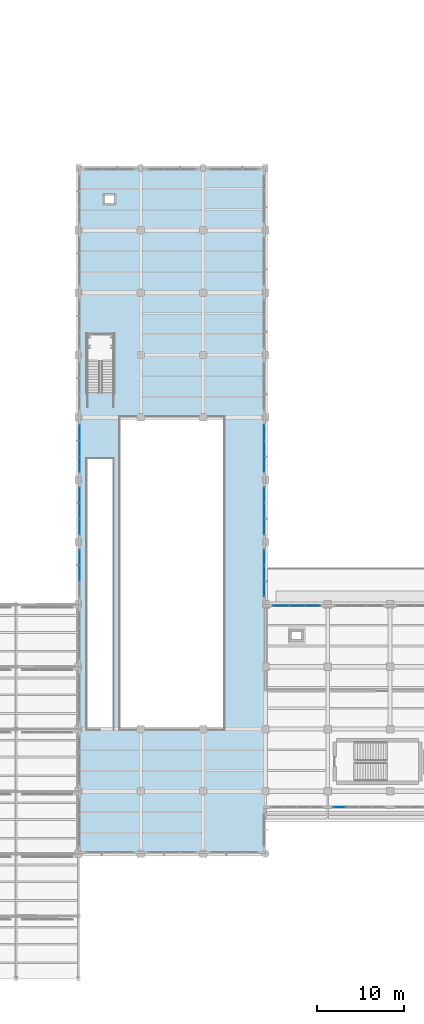
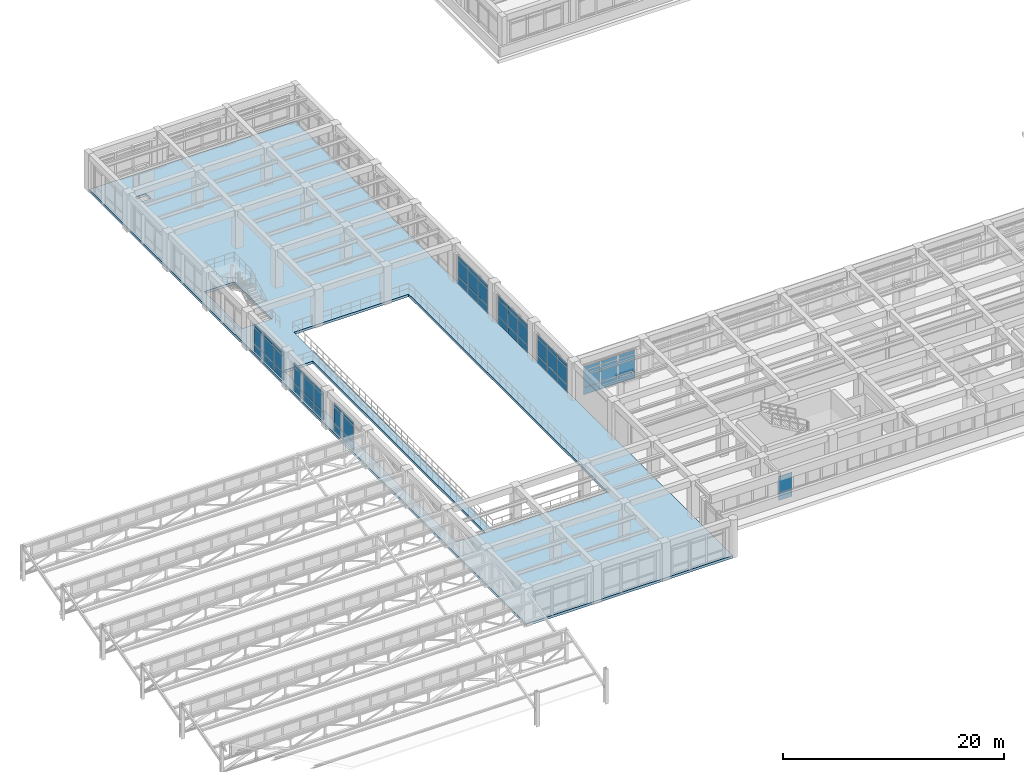
# One storey, part 67 of 98: 62 plates, 1 slab, 8 elements without a shape of their own.
"""IFC4 building model written with IfcOpenShell, lengths in metres."""

import ifcopenshell
import ifcopenshell.guid

model = None  # the IFC model being written
_history = None  # IfcOwnerHistory: only IFC2X3 demands one
_inside = {}  # id of a spatial element -> (the spatial element, [elements in it])
_under = {}  # id of a project, library or spatial element -> (it, [spatial elements below it])
_declared = {}  # id of a project -> (the project, [libraries it declares])
_typed = {}  # id of a type object -> (the type object, [elements of that type])
_made_of = {}  # id of a material, layer set ... -> (it, [elements and type objects made of it])


def new_model(schema):
    """Start an empty IFC model of exactly this schema.

    Asked for "IFC4X3", IfcOpenShell would pick the latest addendum, in which some entities
    have other attributes; the version numbers below select the first issue.
    IFC2X3 requires an IfcOwnerHistory on every rooted entity: one is made here for all.
    """
    global model, _history
    if schema == "IFC4X3":
        model = ifcopenshell.file(schema_version=(4, 3, 0, 0))
    else:
        model = ifcopenshell.file(schema=schema)
    _inside.clear()
    _under.clear()
    _declared.clear()
    _typed.clear()
    _made_of.clear()
    _history = None
    if model.schema == "IFC2X3":
        org = make("IfcOrganization", Name="unknown")
        user = make(
            "IfcPersonAndOrganization",
            ThePerson=make("IfcPerson", FamilyName="unknown"),
            TheOrganization=org,
        )
        app = make(
            "IfcApplication",
            ApplicationDeveloper=org,
            Version="unknown",
            ApplicationFullName="unknown",
            ApplicationIdentifier="unknown",
        )
        _history = make(
            "IfcOwnerHistory",
            OwningUser=user,
            OwningApplication=app,
            ChangeAction="ADDED",
            CreationDate=0,
        )
    return model


def make(cls, **values):
    """One entity of the class cls with the attributes given. An attribute that is None is left unset."""
    return model.create_entity(
        cls, **{name: value for name, value in values.items() if value is not None}
    )


def rooted(cls, **values):
    """An entity with a GlobalId (a new one), such as an element, a storey or a relation."""
    return make(cls, GlobalId=ifcopenshell.guid.new(), OwnerHistory=_history, **values)


def si_unit(unit_type, name, prefix=None):
    """IfcSIUnit, for example si_unit("LENGTHUNIT", "METRE", prefix="MILLI")."""
    return make("IfcSIUnit", UnitType=unit_type, Prefix=prefix, Name=name)


def assignment(units):
    """IfcUnitAssignment: the units of a project."""
    return None if units is None else make("IfcUnitAssignment", Units=units)


def point(xyz):
    """IfcCartesianPoint."""
    return None if xyz is None else make("IfcCartesianPoint", Coordinates=xyz)


def direction(xyz):
    """IfcDirection."""
    return None if xyz is None else make("IfcDirection", DirectionRatios=xyz)


def frame(location, z_axis=None, x_axis=None):
    """IfcAxis2Placement3D, a coordinate frame: its origin and axes. An axis left out is left unset."""
    return make(
        "IfcAxis2Placement3D",
        Location=point(location),
        Axis=direction(z_axis),
        RefDirection=direction(x_axis),
    )


def frame_2d(location, x_axis=None):
    """IfcAxis2Placement2D, a coordinate frame in the plane: its origin and x axis."""
    return make(
        "IfcAxis2Placement2D", Location=point(location), RefDirection=direction(x_axis)
    )


def origin():
    """The frame at (0, 0, 0) with its axes left unset."""
    return frame((0.0, 0.0, 0.0))


def origin_2d():
    """The frame at (0, 0) in the plane with its x axis left unset."""
    return frame_2d((0.0, 0.0))


def place(relative_to, where):
    """IfcLocalPlacement: puts the frame where relative to a parent placement (None: the world)."""
    return make(
        "IfcLocalPlacement", PlacementRelTo=relative_to, RelativePlacement=where
    )


def context(
    kind, dimensions, precision=None, world=None, true_north=None, identifier=None
):
    """IfcGeometricRepresentationContext, for example the 3D "Model" context."""
    return make(
        "IfcGeometricRepresentationContext",
        ContextIdentifier=identifier,
        ContextType=kind,
        CoordinateSpaceDimension=dimensions,
        Precision=precision,
        WorldCoordinateSystem=world,
        TrueNorth=true_north,
    )


def subcontext(parent, identifier, kind, view, scale=None):
    """IfcGeometricRepresentationSubContext, for example "Body" below "Model"."""
    return make(
        "IfcGeometricRepresentationSubContext",
        ContextIdentifier=identifier,
        ContextType=kind,
        ParentContext=parent,
        TargetScale=scale,
        TargetView=view,
    )


def project(units=None, contexts=None):
    """IfcProject with its units and contexts."""
    return rooted(
        "IfcProject",
        Name="project",
        RepresentationContexts=contexts,
        UnitsInContext=assignment(units),
    )


def spatial(cls, under=None, at=None, **own):
    """A site, building, storey or space (cls), placed at a placement, below another one or the project."""
    s = rooted(cls, ObjectPlacement=at, **own)
    if under is not None:
        _under.setdefault(under.id(), (under, []))[1].append(s)
    return s


def polyline(points):
    """IfcPolyline through the points."""
    return make("IfcPolyline", Points=[point(p) for p in points])


def profile(cls, at=None, kind="AREA", **sizes):
    """A parametric profile (cls). Its sizes go by their IFC names, for example OverallWidth=200.0."""
    return make(cls, ProfileType=kind, Position=at, **sizes)


def rectangle(**sizes):
    """IfcRectangleProfileDef."""
    return profile("IfcRectangleProfileDef", **sizes)


def outline(outer, holes=None, kind="AREA"):
    """IfcArbitraryClosedProfileDef: a profile drawn as a closed curve; with holes, ...WithVoids."""
    if holes is None:
        return make("IfcArbitraryClosedProfileDef", ProfileType=kind, OuterCurve=outer)
    return make(
        "IfcArbitraryProfileDefWithVoids",
        ProfileType=kind,
        OuterCurve=outer,
        InnerCurves=holes,
    )


def extrude(swept, where, along, depth):
    """IfcExtrudedAreaSolid: the profile swept, set in the frame where, extruded along a direction by depth."""
    return make(
        "IfcExtrudedAreaSolid",
        SweptArea=swept,
        Position=where,
        ExtrudedDirection=direction(along),
        Depth=depth,
    )


def shape(context_of_items, identifier, shape_type, items):
    """IfcShapeRepresentation: the items that make up one representation, for example the "Body"."""
    return make(
        "IfcShapeRepresentation",
        ContextOfItems=context_of_items,
        RepresentationIdentifier=identifier,
        RepresentationType=shape_type,
        Items=items,
    )


def material(Name=None, Category=None):
    """IfcMaterial."""
    return make("IfcMaterial", Name=Name, Category=Category)


def layer(
    of_material, thickness, ventilated=None, Name=None, Category=None, Priority=None
):
    """IfcMaterialLayer: one layer of a wall or slab, of a material (None: an air gap)."""
    return make(
        "IfcMaterialLayer",
        Material=of_material,
        LayerThickness=thickness,
        IsVentilated=ventilated,
        Name=Name,
        Category=Category,
        Priority=Priority,
    )


def layer_set(layers, Name=None):
    """IfcMaterialLayerSet."""
    return make("IfcMaterialLayerSet", MaterialLayers=layers, LayerSetName=Name)


def made_of(thing, what):
    """Note that an element or type object is made of a material, layer set ...; save() writes the relation."""
    if what is not None:
        _made_of.setdefault(what.id(), (what, []))[1].append(thing)
    return thing


def type_object(cls, material=None, **own):
    """A type object (cls), such as IfcWallType, which elements share."""
    return made_of(rooted(cls, **own), material)


def element(
    cls,
    number,
    at=None,
    inside=None,
    cuts=None,
    type_object=None,
    material=None,
    context=None,
    identifier="Body",
    shape_type=None,
    held_by="IfcProductDefinitionShape",
    body=None,
    shapes=None,
    **own,
):
    """One element of the class cls, such as IfcWall. Its Tag is "e" and its number.

    at: its placement. inside: the storey or other place that contains it. cuts: it is an
    opening in that element (IfcRelVoidsElement). A single representation is given by context,
    identifier, shape_type and body (its items); several are given by shapes. held_by: the class
    of the entity that holds the representations. save() writes the other relations.
    """
    e = rooted(cls, Tag="e%d" % number, ObjectPlacement=at, **own)
    if body is not None:
        shapes = [shape(context, identifier, shape_type, body)]
    if shapes is not None:
        e.Representation = make(held_by, Representations=shapes)
    if inside is not None:
        _inside.setdefault(inside.id(), (inside, []))[1].append(e)
    if cuts is not None:
        rooted(
            "IfcRelVoidsElement", RelatingBuildingElement=cuts, RelatedOpeningElement=e
        )
    if type_object is not None:
        _typed.setdefault(type_object.id(), (type_object, []))[1].append(e)
    return made_of(e, material)


def aggregate(whole, parts):
    """IfcRelAggregates: a whole, such as a stair, and the parts it consists of."""
    return rooted("IfcRelAggregates", RelatingObject=whole, RelatedObjects=parts)


def save(model, path):
    """Write the relations noted so far, then the file.

    IfcRelAggregates (storeys below a building ...), IfcRelContainedInSpatialStructure (elements
    in a storey), IfcRelDefinesByType, IfcRelAssociatesMaterial and IfcRelDeclares: one each for
    every whole, place, type object, material and project.
    """
    for whole, parts in _under.values():
        aggregate(whole, parts)
    for where, things in _inside.values():
        rooted(
            "IfcRelContainedInSpatialStructure",
            RelatedElements=things,
            RelatingStructure=where,
        )
    for kind, things in _typed.values():
        rooted("IfcRelDefinesByType", RelatedObjects=things, RelatingType=kind)
    for what, things in _made_of.values():
        rooted("IfcRelAssociatesMaterial", RelatedObjects=things, RelatingMaterial=what)
    for by, libraries in _declared.values():
        rooted("IfcRelDeclares", RelatingContext=by, RelatedDefinitions=libraries)
    model.write(path)


model = new_model("IFC4")

# Units and contexts
model_context = context("Model", 3, precision=1e-05, world=origin(), true_north=direction((0.0, 1.0)))
body_context = subcontext(model_context, "Body", "Model", "MODEL_VIEW")
ifc_project = project(units=[si_unit("LENGTHUNIT", "METRE"), si_unit("AREAUNIT", "SQUARE_METRE"), si_unit("VOLUMEUNIT", "CUBIC_METRE"), si_unit("PLANEANGLEUNIT", "RADIAN"), si_unit("MASSUNIT", "GRAM", prefix="KILO")], contexts=[model_context])

# Site, building, storey
site_placement = place(None, origin())
site = spatial("IfcSite", under=ifc_project, at=site_placement, CompositionType="ELEMENT")
building_placement = place(site_placement, origin())
building = spatial("IfcBuilding", under=site, at=building_placement, Name="Solenvale Faculty of Natural Sciences", CompositionType="ELEMENT")
storey_placement = place(building_placement, frame((0.0, 0.0, 9.0)))
storey = spatial("IfcBuildingStorey", under=building, at=storey_placement, Name="L02", CompositionType="ELEMENT", Elevation=9.0)

# Curtain wall, plates
ifc_material_1 = material(Name="Anodised bronze aluminium", Category="aluminium")
ifc_layer_1 = layer(ifc_material_1, 0.18994140625)
ifc_layer_set_1 = layer_set([ifc_layer_1], Name="Anodised bronze aluminium")
curtain_wall_type_1 = type_object("IfcCurtainWallType", Name="CW-TRAY-REC", PredefinedType="USERDEFINED", material=ifc_layer_set_1)
curtain_wall_1_placement = place(storey_placement, origin())
curtain_wall_1 = element("IfcCurtainWall", 1, at=curtain_wall_1_placement, inside=storey, type_object=curtain_wall_type_1, Name="L02 Curtain Wall CW-L02-P1-E6-B8", ObjectType="UNITISED CURTAIN WALL", PredefinedType="USERDEFINED")
ifc_material_2 = material(Name="Triple low-E insulated glass", Category="glass")
ifc_layer_2 = layer(ifc_material_2, 0.031982421875)
ifc_layer_set_2 = layer_set([ifc_layer_2], Name="Triple low-E insulated glass")
plate_type_1 = type_object("IfcPlateType", Name="CWP-PNL-32", PredefinedType="CURTAIN_PANEL", material=ifc_layer_set_2)
plate_1_placement = place(storey_placement, frame((63.0146484375, 43.03759765625, 0.074951171875), z_axis=(0.0, 0.0, 1.0), x_axis=(-1.0, 0.0, 0.0)))
plate_1 = element("IfcPlate", 2, at=plate_1_placement, type_object=plate_type_1, Name="CW-02 panel 1.1", PredefinedType="CURTAIN_PANEL", context=body_context, shape_type="SweptSolid", body=[
    extrude(rectangle(XDim=1.720947265625, YDim=0.031982421875, at=origin_2d()), origin(), (0.0, 0.0, 1.0), 0.78759765625),
])
plate_2_placement = place(storey_placement, frame((63.0146484375, 43.03759765625, 0.9375), z_axis=(0.0, 0.0, 1.0), x_axis=(-1.0, 0.0, 0.0)))
plate_2 = element("IfcPlate", 3, at=plate_2_placement, type_object=plate_type_1, Name="CW-02 panel 1.2", PredefinedType="CURTAIN_PANEL", context=body_context, shape_type="SweptSolid", body=[
    extrude(rectangle(XDim=1.720947265625, YDim=0.031982421875, at=origin_2d()), origin(), (0.0, 0.0, 1.0), 1.784912109375),
])
plate_3_placement = place(storey_placement, frame((63.0146484375, 43.03759765625, 2.79736328125), z_axis=(0.0, 0.0, 1.0), x_axis=(-1.0, 0.0, 0.0)))
plate_3 = element("IfcPlate", 4, at=plate_3_placement, type_object=plate_type_1, Name="CW-02 panel 1.3", PredefinedType="CURTAIN_PANEL", context=body_context, shape_type="SweptSolid", body=[
    extrude(rectangle(XDim=1.720947265625, YDim=0.031982421875, at=origin_2d()), origin(), (0.0, 0.0, 1.0), 0.387451171875),
])
plate_4_placement = place(storey_placement, frame((61.199951171875, 43.03759765625, 0.074951171875), z_axis=(0.0, 0.0, 1.0), x_axis=(-1.0, 0.0, 0.0)))
plate_4 = element("IfcPlate", 5, at=plate_4_placement, type_object=plate_type_1, Name="CW-02 panel 2.1", PredefinedType="CURTAIN_PANEL", context=body_context, shape_type="SweptSolid", body=[
    extrude(rectangle(XDim=1.75830078125, YDim=0.031982421875, at=origin_2d()), origin(), (0.0, 0.0, 1.0), 0.78759765625),
])
plate_5_placement = place(storey_placement, frame((61.199951171875, 43.03759765625, 0.9375), z_axis=(0.0, 0.0, 1.0), x_axis=(-1.0, 0.0, 0.0)))
plate_5 = element("IfcPlate", 6, at=plate_5_placement, type_object=plate_type_1, Name="CW-02 panel 2.2", PredefinedType="CURTAIN_PANEL", context=body_context, shape_type="SweptSolid", body=[
    extrude(rectangle(XDim=1.75830078125, YDim=0.031982421875, at=origin_2d()), origin(), (0.0, 0.0, 1.0), 1.784912109375),
])
plate_6_placement = place(storey_placement, frame((61.199951171875, 43.03759765625, 2.79736328125), z_axis=(0.0, 0.0, 1.0), x_axis=(-1.0, 0.0, 0.0)))
plate_6 = element("IfcPlate", 7, at=plate_6_placement, type_object=plate_type_1, Name="CW-02 panel 2.3", PredefinedType="CURTAIN_PANEL", context=body_context, shape_type="SweptSolid", body=[
    extrude(rectangle(XDim=1.75830078125, YDim=0.031982421875, at=origin_2d()), origin(), (0.0, 0.0, 1.0), 0.387451171875),
])
plate_7_placement = place(storey_placement, frame((59.385498046875, 43.03759765625, 0.074951171875), z_axis=(0.0, 0.0, 1.0), x_axis=(-1.0, 0.0, 0.0)))
plate_7 = element("IfcPlate", 8, at=plate_7_placement, type_object=plate_type_1, Name="CW-02 panel 3.1", PredefinedType="CURTAIN_PANEL", context=body_context, shape_type="SweptSolid", body=[
    extrude(rectangle(XDim=1.720947265625, YDim=0.031982421875, at=origin_2d()), origin(), (0.0, 0.0, 1.0), 0.78759765625),
])
plate_8_placement = place(storey_placement, frame((59.385498046875, 43.03759765625, 0.9375), z_axis=(0.0, 0.0, 1.0), x_axis=(-1.0, 0.0, 0.0)))
plate_8 = element("IfcPlate", 9, at=plate_8_placement, type_object=plate_type_1, Name="CW-02 panel 3.2", PredefinedType="CURTAIN_PANEL", context=body_context, shape_type="SweptSolid", body=[
    extrude(rectangle(XDim=1.720947265625, YDim=0.031982421875, at=origin_2d()), origin(), (0.0, 0.0, 1.0), 1.784912109375),
])
plate_9_placement = place(storey_placement, frame((59.385498046875, 43.03759765625, 2.79736328125), z_axis=(0.0, 0.0, 1.0), x_axis=(-1.0, 0.0, 0.0)))
plate_9 = element("IfcPlate", 10, at=plate_9_placement, type_object=plate_type_1, Name="CW-02 panel 3.3", PredefinedType="CURTAIN_PANEL", context=body_context, shape_type="SweptSolid", body=[
    extrude(rectangle(XDim=1.720947265625, YDim=0.031982421875, at=origin_2d()), origin(), (0.0, 0.0, 1.0), 0.387451171875),
])
aggregate(curtain_wall_1, [plate_1, plate_2, plate_3, plate_4, plate_5, plate_6, plate_7, plate_8, plate_9])

ifc_layer_3 = layer(ifc_material_1, 0.215087890625)
ifc_layer_set_3 = layer_set([ifc_layer_3], Name="Anodised bronze aluminium")
curtain_wall_type_2 = type_object("IfcCurtainWallType", Name="CW-ATR-UNIT", PredefinedType="USERDEFINED", material=ifc_layer_set_3)
curtain_wall_2_placement = place(storey_placement, origin())
curtain_wall_2 = element("IfcCurtainWall", 11, at=curtain_wall_2_placement, inside=storey, type_object=curtain_wall_type_2, Name="L02 Curtain Wall CW-L02-P1-E9-B5", ObjectType="UNITISED CURTAIN WALL", PredefinedType="USERDEFINED")
plate_10_placement = place(storey_placement, frame((36.142578125, 63.0146484375, 0.074951171875), z_axis=(0.0, 0.0, 1.0), x_axis=(0.0, -1.0, 0.0)))
plate_10 = element("IfcPlate", 12, at=plate_10_placement, type_object=plate_type_1, Name="CW-01 panel 1.1", PredefinedType="CURTAIN_PANEL", context=body_context, shape_type="SweptSolid", body=[
    extrude(rectangle(XDim=1.720947265625, YDim=0.031982421875, at=origin_2d()), origin(), (0.0, 0.0, 1.0), 0.78759765625),
])
plate_11_placement = place(storey_placement, frame((36.142578125, 63.0146484375, 0.9375), z_axis=(0.0, 0.0, 1.0), x_axis=(0.0, -1.0, 0.0)))
plate_11 = element("IfcPlate", 13, at=plate_11_placement, type_object=plate_type_1, Name="CW-01 panel 1.2", PredefinedType="CURTAIN_PANEL", context=body_context, shape_type="SweptSolid", body=[
    extrude(rectangle(XDim=1.720947265625, YDim=0.031982421875, at=origin_2d()), origin(), (0.0, 0.0, 1.0), 1.784912109375),
])
plate_12_placement = place(storey_placement, frame((36.142578125, 63.0146484375, 2.79736328125), z_axis=(0.0, 0.0, 1.0), x_axis=(0.0, -1.0, 0.0)))
plate_12 = element("IfcPlate", 14, at=plate_12_placement, type_object=plate_type_1, Name="CW-01 panel 1.3", PredefinedType="CURTAIN_PANEL", context=body_context, shape_type="SweptSolid", body=[
    extrude(rectangle(XDim=1.720947265625, YDim=0.031982421875, at=origin_2d()), origin(), (0.0, 0.0, 1.0), 0.387451171875),
])
plate_13_placement = place(storey_placement, frame((36.142578125, 61.199951171875, 0.074951171875), z_axis=(0.0, 0.0, 1.0), x_axis=(0.0, -1.0, 0.0)))
plate_13 = element("IfcPlate", 15, at=plate_13_placement, type_object=plate_type_1, Name="CW-01 panel 2.1", PredefinedType="CURTAIN_PANEL", context=body_context, shape_type="SweptSolid", body=[
    extrude(rectangle(XDim=1.75830078125, YDim=0.031982421875, at=origin_2d()), origin(), (0.0, 0.0, 1.0), 0.78759765625),
])
plate_14_placement = place(storey_placement, frame((36.142578125, 61.199951171875, 0.9375), z_axis=(0.0, 0.0, 1.0), x_axis=(0.0, -1.0, 0.0)))
plate_14 = element("IfcPlate", 16, at=plate_14_placement, type_object=plate_type_1, Name="CW-01 panel 2.2", PredefinedType="CURTAIN_PANEL", context=body_context, shape_type="SweptSolid", body=[
    extrude(rectangle(XDim=1.75830078125, YDim=0.031982421875, at=origin_2d()), origin(), (0.0, 0.0, 1.0), 1.784912109375),
])
plate_15_placement = place(storey_placement, frame((36.142578125, 61.199951171875, 2.79736328125), z_axis=(0.0, 0.0, 1.0), x_axis=(0.0, -1.0, 0.0)))
plate_15 = element("IfcPlate", 17, at=plate_15_placement, type_object=plate_type_1, Name="CW-01 panel 2.3", PredefinedType="CURTAIN_PANEL", context=body_context, shape_type="SweptSolid", body=[
    extrude(rectangle(XDim=1.75830078125, YDim=0.031982421875, at=origin_2d()), origin(), (0.0, 0.0, 1.0), 0.387451171875),
])
plate_16_placement = place(storey_placement, frame((36.142578125, 59.385498046875, 0.074951171875), z_axis=(0.0, 0.0, 1.0), x_axis=(0.0, -1.0, 0.0)))
plate_16 = element("IfcPlate", 18, at=plate_16_placement, type_object=plate_type_1, Name="CW-01 panel 3.1", PredefinedType="CURTAIN_PANEL", context=body_context, shape_type="SweptSolid", body=[
    extrude(rectangle(XDim=1.720947265625, YDim=0.031982421875, at=origin_2d()), origin(), (0.0, 0.0, 1.0), 0.78759765625),
])
plate_17_placement = place(storey_placement, frame((36.142578125, 59.385498046875, 0.9375), z_axis=(0.0, 0.0, 1.0), x_axis=(0.0, -1.0, 0.0)))
plate_17 = element("IfcPlate", 19, at=plate_17_placement, type_object=plate_type_1, Name="CW-01 panel 3.2", PredefinedType="CURTAIN_PANEL", context=body_context, shape_type="SweptSolid", body=[
    extrude(rectangle(XDim=1.720947265625, YDim=0.031982421875, at=origin_2d()), origin(), (0.0, 0.0, 1.0), 1.784912109375),
])
plate_18_placement = place(storey_placement, frame((36.142578125, 59.385498046875, 2.79736328125), z_axis=(0.0, 0.0, 1.0), x_axis=(0.0, -1.0, 0.0)))
plate_18 = element("IfcPlate", 20, at=plate_18_placement, type_object=plate_type_1, Name="CW-01 panel 3.3", PredefinedType="CURTAIN_PANEL", context=body_context, shape_type="SweptSolid", body=[
    extrude(rectangle(XDim=1.720947265625, YDim=0.031982421875, at=origin_2d()), origin(), (0.0, 0.0, 1.0), 0.387451171875),
])
aggregate(curtain_wall_2, [plate_10, plate_11, plate_12, plate_13, plate_14, plate_15, plate_16, plate_17, plate_18])

curtain_wall_3_placement = place(storey_placement, origin())
curtain_wall_3 = element("IfcCurtainWall", 21, at=curtain_wall_3_placement, inside=storey, type_object=curtain_wall_type_1, Name="L02 Curtain Wall CW-L02-P1-E12-B2", ObjectType="UNITISED CURTAIN WALL", PredefinedType="USERDEFINED")
plate_19_placement = place(storey_placement, frame((66.15380859375, 19.762451171875, 0.074951171875), z_axis=(0.0, 0.0, 1.0), x_axis=(1.0, 0.0, 0.0)))
plate_19 = element("IfcPlate", 22, at=plate_19_placement, type_object=plate_type_1, Name="CW-02 panel 1.1", PredefinedType="CURTAIN_PANEL", context=body_context, shape_type="SweptSolid", body=[
    extrude(rectangle(XDim=1.3974609375, YDim=0.031982421875, at=origin_2d()), origin(), (0.0, 0.0, 1.0), 0.78759765625),
])
plate_20_placement = place(storey_placement, frame((66.15380859375, 19.762451171875, 0.9375), z_axis=(0.0, 0.0, 1.0), x_axis=(1.0, 0.0, 0.0)))
plate_20 = element("IfcPlate", 23, at=plate_20_placement, type_object=plate_type_1, Name="CW-02 panel 1.2", PredefinedType="CURTAIN_PANEL", context=body_context, shape_type="SweptSolid", body=[
    extrude(rectangle(XDim=1.3974609375, YDim=0.031982421875, at=origin_2d()), origin(), (0.0, 0.0, 1.0), 1.784912109375),
])
aggregate(curtain_wall_3, [plate_19, plate_20])

curtain_wall_4_placement = place(storey_placement, origin())
curtain_wall_4 = element("IfcCurtainWall", 24, at=curtain_wall_4_placement, inside=storey, type_object=curtain_wall_type_2, Name="L02 Curtain Wall CW-L02-P1-E9-B6", ObjectType="UNITISED CURTAIN WALL", PredefinedType="USERDEFINED")
ifc_layer_4 = layer(ifc_material_2, 0.035888671875)
ifc_layer_set_4 = layer_set([ifc_layer_4], Name="Triple low-E insulated glass")
plate_type_2 = type_object("IfcPlateType", Name="CWP-PNL-36", PredefinedType="CURTAIN_PANEL", material=ifc_layer_set_4)
plate_21_placement = place(storey_placement, frame((36.142578125, 55.814697265625, 0.074951171875), z_axis=(0.0, 0.0, 1.0), x_axis=(0.0, -1.0, 0.0)))
plate_21 = element("IfcPlate", 25, at=plate_21_placement, type_object=plate_type_2, Name="CW-01 panel 1.1", PredefinedType="CURTAIN_PANEL", context=body_context, shape_type="SweptSolid", body=[
    extrude(rectangle(XDim=1.720947265625, YDim=0.035888671875, at=origin_2d()), origin(), (0.0, 0.0, 1.0), 0.78759765625),
])
plate_22_placement = place(storey_placement, frame((36.142578125, 55.814697265625, 0.9375), z_axis=(0.0, 0.0, 1.0), x_axis=(0.0, -1.0, 0.0)))
plate_22 = element("IfcPlate", 26, at=plate_22_placement, type_object=plate_type_2, Name="CW-01 panel 1.2", PredefinedType="CURTAIN_PANEL", context=body_context, shape_type="SweptSolid", body=[
    extrude(rectangle(XDim=1.720947265625, YDim=0.035888671875, at=origin_2d()), origin(), (0.0, 0.0, 1.0), 1.784912109375),
])
plate_23_placement = place(storey_placement, frame((36.142578125, 55.814697265625, 2.79736328125), z_axis=(0.0, 0.0, 1.0), x_axis=(0.0, -1.0, 0.0)))
plate_23 = element("IfcPlate", 27, at=plate_23_placement, type_object=plate_type_2, Name="CW-01 panel 1.3", PredefinedType="CURTAIN_PANEL", context=body_context, shape_type="SweptSolid", body=[
    extrude(rectangle(XDim=1.720947265625, YDim=0.035888671875, at=origin_2d()), origin(), (0.0, 0.0, 1.0), 0.387451171875),
])
plate_24_placement = place(storey_placement, frame((36.142578125, 54.0, 0.074951171875), z_axis=(0.0, 0.0, 1.0), x_axis=(0.0, -1.0, 0.0)))
plate_24 = element("IfcPlate", 28, at=plate_24_placement, type_object=plate_type_2, Name="CW-01 panel 2.1", PredefinedType="CURTAIN_PANEL", context=body_context, shape_type="SweptSolid", body=[
    extrude(rectangle(XDim=1.75830078125, YDim=0.035888671875, at=origin_2d()), origin(), (0.0, 0.0, 1.0), 0.78759765625),
])
plate_25_placement = place(storey_placement, frame((36.142578125, 54.0, 0.9375), z_axis=(0.0, 0.0, 1.0), x_axis=(0.0, -1.0, 0.0)))
plate_25 = element("IfcPlate", 29, at=plate_25_placement, type_object=plate_type_2, Name="CW-01 panel 2.2", PredefinedType="CURTAIN_PANEL", context=body_context, shape_type="SweptSolid", body=[
    extrude(rectangle(XDim=1.75830078125, YDim=0.035888671875, at=origin_2d()), origin(), (0.0, 0.0, 1.0), 1.784912109375),
])
plate_26_placement = place(storey_placement, frame((36.142578125, 54.0, 2.79736328125), z_axis=(0.0, 0.0, 1.0), x_axis=(0.0, -1.0, 0.0)))
plate_26 = element("IfcPlate", 30, at=plate_26_placement, type_object=plate_type_2, Name="CW-01 panel 2.3", PredefinedType="CURTAIN_PANEL", context=body_context, shape_type="SweptSolid", body=[
    extrude(rectangle(XDim=1.75830078125, YDim=0.035888671875, at=origin_2d()), origin(), (0.0, 0.0, 1.0), 0.387451171875),
])
plate_27_placement = place(storey_placement, frame((36.142578125, 52.185302734375, 0.074951171875), z_axis=(0.0, 0.0, 1.0), x_axis=(0.0, -1.0, 0.0)))
plate_27 = element("IfcPlate", 31, at=plate_27_placement, type_object=plate_type_2, Name="CW-01 panel 3.1", PredefinedType="CURTAIN_PANEL", context=body_context, shape_type="SweptSolid", body=[
    extrude(rectangle(XDim=1.720947265625, YDim=0.035888671875, at=origin_2d()), origin(), (0.0, 0.0, 1.0), 0.78759765625),
])
plate_28_placement = place(storey_placement, frame((36.142578125, 52.185302734375, 0.9375), z_axis=(0.0, 0.0, 1.0), x_axis=(0.0, -1.0, 0.0)))
plate_28 = element("IfcPlate", 32, at=plate_28_placement, type_object=plate_type_2, Name="CW-01 panel 3.2", PredefinedType="CURTAIN_PANEL", context=body_context, shape_type="SweptSolid", body=[
    extrude(rectangle(XDim=1.720947265625, YDim=0.035888671875, at=origin_2d()), origin(), (0.0, 0.0, 1.0), 1.784912109375),
])
plate_29_placement = place(storey_placement, frame((36.142578125, 52.185302734375, 2.79736328125), z_axis=(0.0, 0.0, 1.0), x_axis=(0.0, -1.0, 0.0)))
plate_29 = element("IfcPlate", 33, at=plate_29_placement, type_object=plate_type_2, Name="CW-01 panel 3.3", PredefinedType="CURTAIN_PANEL", context=body_context, shape_type="SweptSolid", body=[
    extrude(rectangle(XDim=1.720947265625, YDim=0.035888671875, at=origin_2d()), origin(), (0.0, 0.0, 1.0), 0.387451171875),
])
aggregate(curtain_wall_4, [plate_21, plate_22, plate_23, plate_24, plate_25, plate_26, plate_27, plate_28, plate_29])

curtain_wall_5_placement = place(storey_placement, origin())
curtain_wall_5 = element("IfcCurtainWall", 34, at=curtain_wall_5_placement, inside=storey, type_object=curtain_wall_type_2, Name="L02 Curtain Wall CW-L02-P1-E7-B1", ObjectType="UNITISED CURTAIN WALL", PredefinedType="USERDEFINED")
ifc_layer_5 = layer(ifc_material_2, 0.0400390625)
ifc_layer_set_5 = layer_set([ifc_layer_5], Name="Triple low-E insulated glass")
plate_type_3 = type_object("IfcPlateType", Name="CWP-PNL-40", PredefinedType="CURTAIN_PANEL", material=ifc_layer_set_5)
plate_30_placement = place(storey_placement, frame((57.45751953125, 44.9853515625, 0.074951171875), z_axis=(0.0, 0.0, 1.0), x_axis=(0.0, 1.0, 0.0)))
plate_30 = element("IfcPlate", 35, at=plate_30_placement, type_object=plate_type_3, Name="CW-01 panel 1.1", PredefinedType="CURTAIN_PANEL", context=body_context, shape_type="SweptSolid", body=[
    extrude(rectangle(XDim=1.720947265625, YDim=0.0400390625, at=origin_2d()), origin(), (0.0, 0.0, 1.0), 0.78759765625),
])
plate_31_placement = place(storey_placement, frame((57.45751953125, 44.9853515625, 0.9375), z_axis=(0.0, 0.0, 1.0), x_axis=(0.0, 1.0, 0.0)))
plate_31 = element("IfcPlate", 36, at=plate_31_placement, type_object=plate_type_3, Name="CW-01 panel 1.2", PredefinedType="CURTAIN_PANEL", context=body_context, shape_type="SweptSolid", body=[
    extrude(rectangle(XDim=1.720947265625, YDim=0.0400390625, at=origin_2d()), origin(), (0.0, 0.0, 1.0), 1.784912109375),
])
plate_32_placement = place(storey_placement, frame((57.45751953125, 44.9853515625, 2.79736328125), z_axis=(0.0, 0.0, 1.0), x_axis=(0.0, 1.0, 0.0)))
plate_32 = element("IfcPlate", 37, at=plate_32_placement, type_object=plate_type_3, Name="CW-01 panel 1.3", PredefinedType="CURTAIN_PANEL", context=body_context, shape_type="SweptSolid", body=[
    extrude(rectangle(XDim=1.720947265625, YDim=0.0400390625, at=origin_2d()), origin(), (0.0, 0.0, 1.0), 0.387451171875),
])
plate_33_placement = place(storey_placement, frame((57.45751953125, 46.800048828125, 0.074951171875), z_axis=(0.0, 0.0, 1.0), x_axis=(0.0, 1.0, 0.0)))
plate_33 = element("IfcPlate", 38, at=plate_33_placement, type_object=plate_type_3, Name="CW-01 panel 2.1", PredefinedType="CURTAIN_PANEL", context=body_context, shape_type="SweptSolid", body=[
    extrude(rectangle(XDim=1.75830078125, YDim=0.0400390625, at=origin_2d()), origin(), (0.0, 0.0, 1.0), 0.78759765625),
])
plate_34_placement = place(storey_placement, frame((57.45751953125, 46.800048828125, 0.9375), z_axis=(0.0, 0.0, 1.0), x_axis=(0.0, 1.0, 0.0)))
plate_34 = element("IfcPlate", 39, at=plate_34_placement, type_object=plate_type_3, Name="CW-01 panel 2.2", PredefinedType="CURTAIN_PANEL", context=body_context, shape_type="SweptSolid", body=[
    extrude(rectangle(XDim=1.75830078125, YDim=0.0400390625, at=origin_2d()), origin(), (0.0, 0.0, 1.0), 1.784912109375),
])
plate_35_placement = place(storey_placement, frame((57.45751953125, 46.800048828125, 2.79736328125), z_axis=(0.0, 0.0, 1.0), x_axis=(0.0, 1.0, 0.0)))
plate_35 = element("IfcPlate", 40, at=plate_35_placement, type_object=plate_type_3, Name="CW-01 panel 2.3", PredefinedType="CURTAIN_PANEL", context=body_context, shape_type="SweptSolid", body=[
    extrude(rectangle(XDim=1.75830078125, YDim=0.0400390625, at=origin_2d()), origin(), (0.0, 0.0, 1.0), 0.387451171875),
])
plate_36_placement = place(storey_placement, frame((57.45751953125, 48.614501953125, 0.074951171875), z_axis=(0.0, 0.0, 1.0), x_axis=(0.0, 1.0, 0.0)))
plate_36 = element("IfcPlate", 41, at=plate_36_placement, type_object=plate_type_3, Name="CW-01 panel 3.1", PredefinedType="CURTAIN_PANEL", context=body_context, shape_type="SweptSolid", body=[
    extrude(rectangle(XDim=1.720947265625, YDim=0.0400390625, at=origin_2d()), origin(), (0.0, 0.0, 1.0), 0.78759765625),
])
plate_37_placement = place(storey_placement, frame((57.45751953125, 48.614501953125, 0.9375), z_axis=(0.0, 0.0, 1.0), x_axis=(0.0, 1.0, 0.0)))
plate_37 = element("IfcPlate", 42, at=plate_37_placement, type_object=plate_type_3, Name="CW-01 panel 3.2", PredefinedType="CURTAIN_PANEL", context=body_context, shape_type="SweptSolid", body=[
    extrude(rectangle(XDim=1.720947265625, YDim=0.0400390625, at=origin_2d()), origin(), (0.0, 0.0, 1.0), 1.784912109375),
])
plate_38_placement = place(storey_placement, frame((57.45751953125, 48.614501953125, 2.79736328125), z_axis=(0.0, 0.0, 1.0), x_axis=(0.0, 1.0, 0.0)))
plate_38 = element("IfcPlate", 43, at=plate_38_placement, type_object=plate_type_3, Name="CW-01 panel 3.3", PredefinedType="CURTAIN_PANEL", context=body_context, shape_type="SweptSolid", body=[
    extrude(rectangle(XDim=1.720947265625, YDim=0.0400390625, at=origin_2d()), origin(), (0.0, 0.0, 1.0), 0.387451171875),
])
aggregate(curtain_wall_5, [plate_30, plate_31, plate_32, plate_33, plate_34, plate_35, plate_36, plate_37, plate_38])

curtain_wall_6_placement = place(storey_placement, origin())
curtain_wall_6 = element("IfcCurtainWall", 44, at=curtain_wall_6_placement, inside=storey, type_object=curtain_wall_type_2, Name="L02 Curtain Wall CW-L02-P1-E9-B7", ObjectType="UNITISED CURTAIN WALL", PredefinedType="USERDEFINED")
plate_39_placement = place(storey_placement, frame((36.142578125, 48.614501953125, 0.074951171875), z_axis=(0.0, 0.0, 1.0), x_axis=(0.0, -1.0, 0.0)))
plate_39 = element("IfcPlate", 45, at=plate_39_placement, type_object=plate_type_3, Name="CW-01 panel 1.1", PredefinedType="CURTAIN_PANEL", context=body_context, shape_type="SweptSolid", body=[
    extrude(rectangle(XDim=1.720947265625, YDim=0.0400390625, at=origin_2d()), origin(), (0.0, 0.0, 1.0), 0.78759765625),
])
plate_40_placement = place(storey_placement, frame((36.142578125, 48.614501953125, 0.9375), z_axis=(0.0, 0.0, 1.0), x_axis=(0.0, -1.0, 0.0)))
plate_40 = element("IfcPlate", 46, at=plate_40_placement, type_object=plate_type_3, Name="CW-01 panel 1.2", PredefinedType="CURTAIN_PANEL", context=body_context, shape_type="SweptSolid", body=[
    extrude(rectangle(XDim=1.720947265625, YDim=0.0400390625, at=origin_2d()), origin(), (0.0, 0.0, 1.0), 1.784912109375),
])
plate_41_placement = place(storey_placement, frame((36.142578125, 48.614501953125, 2.79736328125), z_axis=(0.0, 0.0, 1.0), x_axis=(0.0, -1.0, 0.0)))
plate_41 = element("IfcPlate", 47, at=plate_41_placement, type_object=plate_type_3, Name="CW-01 panel 1.3", PredefinedType="CURTAIN_PANEL", context=body_context, shape_type="SweptSolid", body=[
    extrude(rectangle(XDim=1.720947265625, YDim=0.0400390625, at=origin_2d()), origin(), (0.0, 0.0, 1.0), 0.387451171875),
])
plate_42_placement = place(storey_placement, frame((36.142578125, 46.800048828125, 0.074951171875), z_axis=(0.0, 0.0, 1.0), x_axis=(0.0, -1.0, 0.0)))
plate_42 = element("IfcPlate", 48, at=plate_42_placement, type_object=plate_type_3, Name="CW-01 panel 2.1", PredefinedType="CURTAIN_PANEL", context=body_context, shape_type="SweptSolid", body=[
    extrude(rectangle(XDim=1.75830078125, YDim=0.0400390625, at=origin_2d()), origin(), (0.0, 0.0, 1.0), 0.78759765625),
])
plate_43_placement = place(storey_placement, frame((36.142578125, 46.800048828125, 0.9375), z_axis=(0.0, 0.0, 1.0), x_axis=(0.0, -1.0, 0.0)))
plate_43 = element("IfcPlate", 49, at=plate_43_placement, type_object=plate_type_3, Name="CW-01 panel 2.2", PredefinedType="CURTAIN_PANEL", context=body_context, shape_type="SweptSolid", body=[
    extrude(rectangle(XDim=1.75830078125, YDim=0.0400390625, at=origin_2d()), origin(), (0.0, 0.0, 1.0), 1.784912109375),
])
plate_44_placement = place(storey_placement, frame((36.142578125, 46.800048828125, 2.79736328125), z_axis=(0.0, 0.0, 1.0), x_axis=(0.0, -1.0, 0.0)))
plate_44 = element("IfcPlate", 50, at=plate_44_placement, type_object=plate_type_3, Name="CW-01 panel 2.3", PredefinedType="CURTAIN_PANEL", context=body_context, shape_type="SweptSolid", body=[
    extrude(rectangle(XDim=1.75830078125, YDim=0.0400390625, at=origin_2d()), origin(), (0.0, 0.0, 1.0), 0.387451171875),
])
aggregate(curtain_wall_6, [plate_39, plate_40, plate_41, plate_42, plate_43, plate_44])

curtain_wall_7_placement = place(storey_placement, origin())
curtain_wall_7 = element("IfcCurtainWall", 51, at=curtain_wall_7_placement, inside=storey, type_object=curtain_wall_type_2, Name="L02 Curtain Wall CW-L02-P1-E7-B2", ObjectType="UNITISED CURTAIN WALL", PredefinedType="USERDEFINED")
ifc_layer_6 = layer(ifc_material_2, 0.0439453125)
ifc_layer_set_6 = layer_set([ifc_layer_6], Name="Triple low-E insulated glass")
plate_type_4 = type_object("IfcPlateType", Name="CWP-PNL-44", PredefinedType="CURTAIN_PANEL", material=ifc_layer_set_6)
plate_45_placement = place(storey_placement, frame((57.45751953125, 52.185302734375, 0.074951171875), z_axis=(0.0, 0.0, 1.0), x_axis=(0.0, 1.0, 0.0)))
plate_45 = element("IfcPlate", 52, at=plate_45_placement, type_object=plate_type_4, Name="CW-01 panel 1.1", PredefinedType="CURTAIN_PANEL", context=body_context, shape_type="SweptSolid", body=[
    extrude(rectangle(XDim=1.720947265625, YDim=0.0439453125, at=origin_2d()), origin(), (0.0, 0.0, 1.0), 0.78759765625),
])
plate_46_placement = place(storey_placement, frame((57.45751953125, 52.185302734375, 0.9375), z_axis=(0.0, 0.0, 1.0), x_axis=(0.0, 1.0, 0.0)))
plate_46 = element("IfcPlate", 53, at=plate_46_placement, type_object=plate_type_4, Name="CW-01 panel 1.2", PredefinedType="CURTAIN_PANEL", context=body_context, shape_type="SweptSolid", body=[
    extrude(rectangle(XDim=1.720947265625, YDim=0.0439453125, at=origin_2d()), origin(), (0.0, 0.0, 1.0), 1.784912109375),
])
plate_47_placement = place(storey_placement, frame((57.45751953125, 52.185302734375, 2.79736328125), z_axis=(0.0, 0.0, 1.0), x_axis=(0.0, 1.0, 0.0)))
plate_47 = element("IfcPlate", 54, at=plate_47_placement, type_object=plate_type_4, Name="CW-01 panel 1.3", PredefinedType="CURTAIN_PANEL", context=body_context, shape_type="SweptSolid", body=[
    extrude(rectangle(XDim=1.720947265625, YDim=0.0439453125, at=origin_2d()), origin(), (0.0, 0.0, 1.0), 0.387451171875),
])
plate_48_placement = place(storey_placement, frame((57.45751953125, 54.0, 0.074951171875), z_axis=(0.0, 0.0, 1.0), x_axis=(0.0, 1.0, 0.0)))
plate_48 = element("IfcPlate", 55, at=plate_48_placement, type_object=plate_type_4, Name="CW-01 panel 2.1", PredefinedType="CURTAIN_PANEL", context=body_context, shape_type="SweptSolid", body=[
    extrude(rectangle(XDim=1.75830078125, YDim=0.0439453125, at=origin_2d()), origin(), (0.0, 0.0, 1.0), 0.78759765625),
])
plate_49_placement = place(storey_placement, frame((57.45751953125, 54.0, 0.9375), z_axis=(0.0, 0.0, 1.0), x_axis=(0.0, 1.0, 0.0)))
plate_49 = element("IfcPlate", 56, at=plate_49_placement, type_object=plate_type_4, Name="CW-01 panel 2.2", PredefinedType="CURTAIN_PANEL", context=body_context, shape_type="SweptSolid", body=[
    extrude(rectangle(XDim=1.75830078125, YDim=0.0439453125, at=origin_2d()), origin(), (0.0, 0.0, 1.0), 1.784912109375),
])
plate_50_placement = place(storey_placement, frame((57.45751953125, 54.0, 2.79736328125), z_axis=(0.0, 0.0, 1.0), x_axis=(0.0, 1.0, 0.0)))
plate_50 = element("IfcPlate", 57, at=plate_50_placement, type_object=plate_type_4, Name="CW-01 panel 2.3", PredefinedType="CURTAIN_PANEL", context=body_context, shape_type="SweptSolid", body=[
    extrude(rectangle(XDim=1.75830078125, YDim=0.0439453125, at=origin_2d()), origin(), (0.0, 0.0, 1.0), 0.387451171875),
])
plate_51_placement = place(storey_placement, frame((57.45751953125, 55.814697265625, 0.074951171875), z_axis=(0.0, 0.0, 1.0), x_axis=(0.0, 1.0, 0.0)))
plate_51 = element("IfcPlate", 58, at=plate_51_placement, type_object=plate_type_4, Name="CW-01 panel 3.1", PredefinedType="CURTAIN_PANEL", context=body_context, shape_type="SweptSolid", body=[
    extrude(rectangle(XDim=1.720947265625, YDim=0.0439453125, at=origin_2d()), origin(), (0.0, 0.0, 1.0), 0.78759765625),
])
plate_52_placement = place(storey_placement, frame((57.45751953125, 55.814697265625, 0.9375), z_axis=(0.0, 0.0, 1.0), x_axis=(0.0, 1.0, 0.0)))
plate_52 = element("IfcPlate", 59, at=plate_52_placement, type_object=plate_type_4, Name="CW-01 panel 3.2", PredefinedType="CURTAIN_PANEL", context=body_context, shape_type="SweptSolid", body=[
    extrude(rectangle(XDim=1.720947265625, YDim=0.0439453125, at=origin_2d()), origin(), (0.0, 0.0, 1.0), 1.784912109375),
])
plate_53_placement = place(storey_placement, frame((57.45751953125, 55.814697265625, 2.79736328125), z_axis=(0.0, 0.0, 1.0), x_axis=(0.0, 1.0, 0.0)))
plate_53 = element("IfcPlate", 60, at=plate_53_placement, type_object=plate_type_4, Name="CW-01 panel 3.3", PredefinedType="CURTAIN_PANEL", context=body_context, shape_type="SweptSolid", body=[
    extrude(rectangle(XDim=1.720947265625, YDim=0.0439453125, at=origin_2d()), origin(), (0.0, 0.0, 1.0), 0.387451171875),
])
aggregate(curtain_wall_7, [plate_45, plate_46, plate_47, plate_48, plate_49, plate_50, plate_51, plate_52, plate_53])

curtain_wall_8_placement = place(storey_placement, origin())
curtain_wall_8 = element("IfcCurtainWall", 61, at=curtain_wall_8_placement, inside=storey, type_object=curtain_wall_type_2, Name="L02 Curtain Wall CW-L02-P1-E7-B3", ObjectType="UNITISED CURTAIN WALL", PredefinedType="USERDEFINED")
ifc_layer_7 = layer(ifc_material_1, 0.048095703125)
ifc_layer_set_7 = layer_set([ifc_layer_7], Name="Anodised bronze aluminium")
plate_type_5 = type_object("IfcPlateType", Name="CWP-PNL-48", PredefinedType="CURTAIN_PANEL", material=ifc_layer_set_7)
plate_54_placement = place(storey_placement, frame((57.45751953125, 59.385498046875, 0.074951171875), z_axis=(0.0, 0.0, 1.0), x_axis=(0.0, 1.0, 0.0)))
plate_54 = element("IfcPlate", 62, at=plate_54_placement, type_object=plate_type_5, Name="CW-01 panel 1.1", PredefinedType="CURTAIN_PANEL", context=body_context, shape_type="SweptSolid", body=[
    extrude(rectangle(XDim=1.720947265625, YDim=0.048095703125, at=origin_2d()), origin(), (0.0, 0.0, 1.0), 0.78759765625),
])
plate_55_placement = place(storey_placement, frame((57.45751953125, 59.385498046875, 0.9375), z_axis=(0.0, 0.0, 1.0), x_axis=(0.0, 1.0, 0.0)))
plate_55 = element("IfcPlate", 63, at=plate_55_placement, type_object=plate_type_5, Name="CW-01 panel 1.2", PredefinedType="CURTAIN_PANEL", context=body_context, shape_type="SweptSolid", body=[
    extrude(rectangle(XDim=1.720947265625, YDim=0.048095703125, at=origin_2d()), origin(), (0.0, 0.0, 1.0), 1.784912109375),
])
plate_56_placement = place(storey_placement, frame((57.45751953125, 59.385498046875, 2.79736328125), z_axis=(0.0, 0.0, 1.0), x_axis=(0.0, 1.0, 0.0)))
plate_56 = element("IfcPlate", 64, at=plate_56_placement, type_object=plate_type_5, Name="CW-01 panel 1.3", PredefinedType="CURTAIN_PANEL", context=body_context, shape_type="SweptSolid", body=[
    extrude(rectangle(XDim=1.720947265625, YDim=0.048095703125, at=origin_2d()), origin(), (0.0, 0.0, 1.0), 0.387451171875),
])
plate_57_placement = place(storey_placement, frame((57.45751953125, 61.199951171875, 0.074951171875), z_axis=(0.0, 0.0, 1.0), x_axis=(0.0, 1.0, 0.0)))
plate_57 = element("IfcPlate", 65, at=plate_57_placement, type_object=plate_type_5, Name="CW-01 panel 2.1", PredefinedType="CURTAIN_PANEL", context=body_context, shape_type="SweptSolid", body=[
    extrude(rectangle(XDim=1.75830078125, YDim=0.048095703125, at=origin_2d()), origin(), (0.0, 0.0, 1.0), 0.78759765625),
])
plate_58_placement = place(storey_placement, frame((57.45751953125, 61.199951171875, 0.9375), z_axis=(0.0, 0.0, 1.0), x_axis=(0.0, 1.0, 0.0)))
plate_58 = element("IfcPlate", 66, at=plate_58_placement, type_object=plate_type_5, Name="CW-01 panel 2.2", PredefinedType="CURTAIN_PANEL", context=body_context, shape_type="SweptSolid", body=[
    extrude(rectangle(XDim=1.75830078125, YDim=0.048095703125, at=origin_2d()), origin(), (0.0, 0.0, 1.0), 1.784912109375),
])
plate_59_placement = place(storey_placement, frame((57.45751953125, 61.199951171875, 2.79736328125), z_axis=(0.0, 0.0, 1.0), x_axis=(0.0, 1.0, 0.0)))
plate_59 = element("IfcPlate", 67, at=plate_59_placement, type_object=plate_type_5, Name="CW-01 panel 2.3", PredefinedType="CURTAIN_PANEL", context=body_context, shape_type="SweptSolid", body=[
    extrude(rectangle(XDim=1.75830078125, YDim=0.048095703125, at=origin_2d()), origin(), (0.0, 0.0, 1.0), 0.387451171875),
])
plate_60_placement = place(storey_placement, frame((57.45751953125, 63.0146484375, 0.074951171875), z_axis=(0.0, 0.0, 1.0), x_axis=(0.0, 1.0, 0.0)))
plate_60 = element("IfcPlate", 68, at=plate_60_placement, type_object=plate_type_5, Name="CW-01 panel 3.1", PredefinedType="CURTAIN_PANEL", context=body_context, shape_type="SweptSolid", body=[
    extrude(rectangle(XDim=1.720947265625, YDim=0.048095703125, at=origin_2d()), origin(), (0.0, 0.0, 1.0), 0.78759765625),
])
plate_61_placement = place(storey_placement, frame((57.45751953125, 63.0146484375, 0.9375), z_axis=(0.0, 0.0, 1.0), x_axis=(0.0, 1.0, 0.0)))
plate_61 = element("IfcPlate", 69, at=plate_61_placement, type_object=plate_type_5, Name="CW-01 panel 3.2", PredefinedType="CURTAIN_PANEL", context=body_context, shape_type="SweptSolid", body=[
    extrude(rectangle(XDim=1.720947265625, YDim=0.048095703125, at=origin_2d()), origin(), (0.0, 0.0, 1.0), 1.784912109375),
])
plate_62_placement = place(storey_placement, frame((57.45751953125, 63.0146484375, 2.79736328125), z_axis=(0.0, 0.0, 1.0), x_axis=(0.0, 1.0, 0.0)))
plate_62 = element("IfcPlate", 70, at=plate_62_placement, type_object=plate_type_5, Name="CW-01 panel 3.3", PredefinedType="CURTAIN_PANEL", context=body_context, shape_type="SweptSolid", body=[
    extrude(rectangle(XDim=1.720947265625, YDim=0.048095703125, at=origin_2d()), origin(), (0.0, 0.0, 1.0), 0.387451171875),
])
aggregate(curtain_wall_8, [plate_54, plate_55, plate_56, plate_57, plate_58, plate_59, plate_60, plate_61, plate_62])

# Slab
ifc_material_3 = material(Name="Concrete 40 MPa", Category="concrete")
ifc_layer_8 = layer(ifc_material_3, 0.280029296875)
ifc_layer_set_8 = layer_set([ifc_layer_8], Name="Concrete 40 MPa")
slab_type = type_object("IfcSlabType", Name="SL-FLR-280", PredefinedType="FLOOR", material=ifc_layer_set_8)
slab_placement = place(storey_placement, frame((0.0, 0.0, -0.280029296875)))
element("IfcSlab", 71, at=slab_placement, inside=storey, type_object=slab_type, Name="L02 V3 Floor Slab 1.1", PredefinedType="FLOOR", context=body_context, shape_type="SweptSolid", body=[
    extrude(outline(polyline([(57.574951171875, 93.60009765625), (57.5927734375, 93.5927734375), (57.60009765625, 93.574951171875), (57.598876953125, 14.417724609375), (57.574951171875, 14.39990234375), (36.017578125, 14.401123046875), (36.0, 14.425048828125), (36.001220703125, 93.582275390625), (36.02490234375, 93.60009765625), (57.574951171875, 93.60009765625)]), holes=[polyline([(40.800048828125, 28.800048828125), (52.800048828125, 28.800048828125), (52.800048828125, 64.800048828125), (40.800048828125, 64.800048828125), (40.800048828125, 28.800048828125)]), polyline([(39.050048828125, 89.550048828125), (40.14990234375, 89.550048828125), (40.14990234375, 90.449951171875), (39.050048828125, 90.449951171875), (39.050048828125, 89.550048828125)]), polyline([(37.0, 67.64990234375), (40.10009765625, 67.64990234375), (40.10009765625, 74.39990234375), (37.0, 74.39990234375), (37.0, 67.64990234375)]), polyline([(37.0, 28.800048828125), (40.0, 28.800048828125), (40.0, 60.0), (37.0, 60.0), (37.0, 28.800048828125)])]), origin(), (0.0, 0.0, 1.0), 0.280029296875),
])

save(model, "model.ifc")
